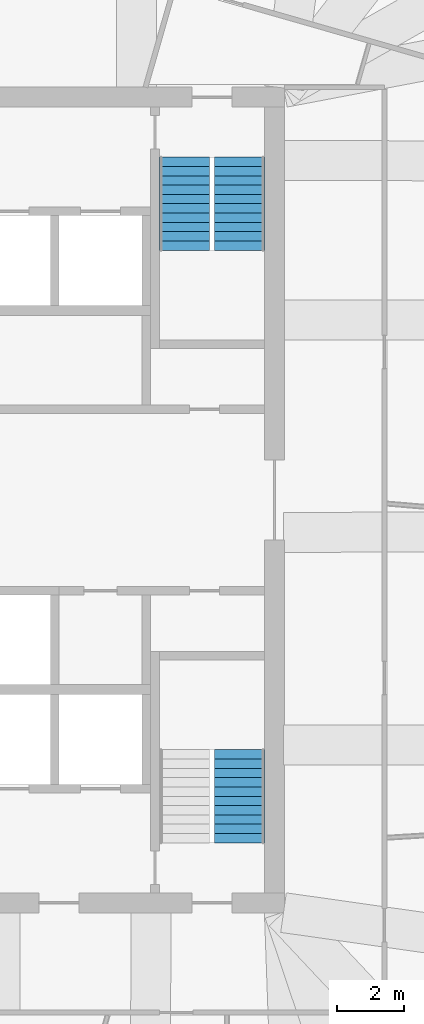
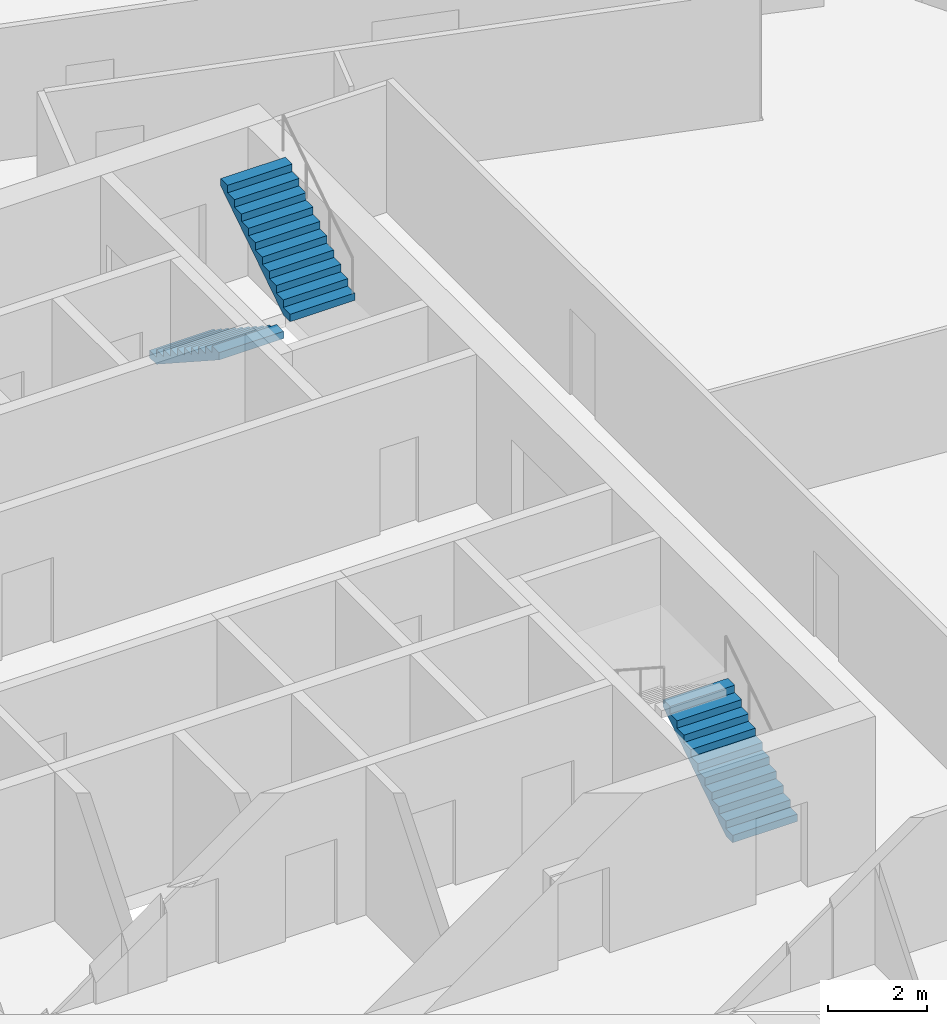
# One storey, part 12 of 15: 3 stair flights, 2 elements without a shape of their own.
"""IFC4 building model written with IfcOpenShell, lengths in metres."""

from ifc_helpers import new_model, si_unit, direction, frame, origin, place, context, subcontext, project, spatial, polyline, outline, extrude, material, type_object, element, aggregate, save


model = new_model("IFC4")

# Units and contexts
model_context = context("Model", 3, precision=1e-05, world=origin(), true_north=direction((0.0, 1.0)))
body_context = subcontext(model_context, "Body", "Model", "MODEL_VIEW")
ifc_project = project(units=[si_unit("LENGTHUNIT", "METRE"), si_unit("AREAUNIT", "SQUARE_METRE"), si_unit("VOLUMEUNIT", "CUBIC_METRE"), si_unit("PLANEANGLEUNIT", "RADIAN"), si_unit("MASSUNIT", "GRAM", prefix="KILO")], contexts=[model_context])

# Site, building, storey
site_placement = place(None, origin())
site = spatial("IfcSite", under=ifc_project, at=site_placement, CompositionType="ELEMENT")
building_placement = place(site_placement, origin())
building = spatial("IfcBuilding", under=site, at=building_placement, Name="Dilmun Exchange Tower", CompositionType="ELEMENT")
storey_placement = place(building_placement, frame((0.0, 0.0, 328.5)))
storey = spatial("IfcBuildingStorey", under=building, at=storey_placement, Name="L78", CompositionType="ELEMENT", Elevation=328.5)

# Stair, stair flights
ifc_material = material(Name="Concrete C40/50", Category="concrete")
stair_type = type_object("IfcStairType", Name="Exit stair 1500 half-turn", PredefinedType="HALF_TURN_STAIR", material=ifc_material)
stair_1_placement = place(storey_placement, origin())
stair_1 = element("IfcStair", 1, at=stair_1_placement, inside=storey, type_object=stair_type, Name="L78 Protected exit stair ST1", PredefinedType="HALF_TURN_STAIR")
stair_flight_type = type_object("IfcStairFlightType", Name="Exit stair flight 1500", PredefinedType="STRAIGHT", material=ifc_material)
stair_flight_1_placement = place(storey_placement, frame((9.39990234375, 10.300048828125, 0.0), z_axis=(0.0, 0.0, 1.0), x_axis=(0.0, -1.0, 0.0)))
stair_flight_1 = element("IfcStairFlight", 2, at=stair_flight_1_placement, type_object=stair_flight_type, Name="ST1 flight 1", NumberOfRisers=11, NumberOfTreads=10, PredefinedType="STRAIGHT", RiserHeight=0.181818182, TreadLength=0.28, context=body_context, shape_type="SweptSolid", body=[
    extrude(outline(polyline([(0.0, 0.0), (0.0, 0.181884765625), (0.280029296875, 0.181884765625), (0.280029296875, 0.363525390625), (0.56005859375, 0.363525390625), (0.56005859375, 0.54541015625), (0.840087890625, 0.54541015625), (0.840087890625, 0.727294921875), (1.1201171875, 0.727294921875), (1.1201171875, 0.9091796875), (1.39990234375, 0.9091796875), (1.39990234375, 1.0908203125), (1.679931640625, 1.0908203125), (1.679931640625, 1.272705078125), (1.9599609375, 1.272705078125), (1.9599609375, 1.45458984375), (2.239990234375, 1.45458984375), (2.239990234375, 1.636474609375), (2.52001953125, 1.636474609375), (2.52001953125, 1.818115234375), (2.800048828125, 1.818115234375), (2.800048828125, 2.0), (2.800048828125, 1.639404296875), (0.275146484375, 0.0), (0.0, 0.0)])), frame((0.0, 0.75, 0.0), z_axis=(0.0, -1.0, 0.0), x_axis=(1.0, 0.0, 0.0)), (0.0, 0.0, 1.0), 1.5),
])
stair_flight_2_placement = place(storey_placement, frame((11.050048828125, 7.5, 2.0), z_axis=(0.0, 0.0, 1.0), x_axis=(0.0, 1.0, 0.0)))
stair_flight_2 = element("IfcStairFlight", 3, at=stair_flight_2_placement, type_object=stair_flight_type, Name="ST1 flight 2", NumberOfRisers=11, NumberOfTreads=10, PredefinedType="STRAIGHT", RiserHeight=0.181818182, TreadLength=0.28, context=body_context, shape_type="SweptSolid", body=[
    extrude(outline(polyline([(0.0, 0.0), (0.0, 0.181884765625), (0.280029296875, 0.181884765625), (0.280029296875, 0.363525390625), (0.56005859375, 0.363525390625), (0.56005859375, 0.54541015625), (0.840087890625, 0.54541015625), (0.840087890625, 0.727294921875), (1.1201171875, 0.727294921875), (1.1201171875, 0.9091796875), (1.39990234375, 0.9091796875), (1.39990234375, 1.0908203125), (1.679931640625, 1.0908203125), (1.679931640625, 1.272705078125), (1.9599609375, 1.272705078125), (1.9599609375, 1.45458984375), (2.239990234375, 1.45458984375), (2.239990234375, 1.636474609375), (2.52001953125, 1.636474609375), (2.52001953125, 1.818115234375), (2.800048828125, 1.818115234375), (2.800048828125, 2.0), (2.800048828125, 1.639404296875), (0.275146484375, 0.0), (0.0, 0.0)])), frame((0.0, 0.75, 0.0), z_axis=(0.0, -1.0, 0.0), x_axis=(1.0, 0.0, 0.0)), (0.0, 0.0, 1.0), 1.5),
])
aggregate(stair_1, [stair_flight_1, stair_flight_2])

# Stair, stair flight
stair_2_placement = place(storey_placement, origin())
stair_2 = element("IfcStair", 4, at=stair_2_placement, inside=storey, type_object=stair_type, Name="L78 Protected exit stair ST3", PredefinedType="HALF_TURN_STAIR")
stair_flight_3_placement = place(storey_placement, frame((11.050048828125, -10.300048828125, 0.0), z_axis=(0.0, 0.0, 1.0), x_axis=(0.0, 1.0, 0.0)))
stair_flight_3 = element("IfcStairFlight", 5, at=stair_flight_3_placement, type_object=stair_flight_type, Name="ST3 flight 1", NumberOfRisers=11, NumberOfTreads=10, PredefinedType="STRAIGHT", RiserHeight=0.181818182, TreadLength=0.28, context=body_context, shape_type="SweptSolid", body=[
    extrude(outline(polyline([(0.0, 0.0), (0.0, 0.181884765625), (0.280029296875, 0.181884765625), (0.280029296875, 0.363525390625), (0.56005859375, 0.363525390625), (0.56005859375, 0.54541015625), (0.840087890625, 0.54541015625), (0.840087890625, 0.727294921875), (1.1201171875, 0.727294921875), (1.1201171875, 0.9091796875), (1.39990234375, 0.9091796875), (1.39990234375, 1.0908203125), (1.679931640625, 1.0908203125), (1.679931640625, 1.272705078125), (1.9599609375, 1.272705078125), (1.9599609375, 1.45458984375), (2.239990234375, 1.45458984375), (2.239990234375, 1.636474609375), (2.52001953125, 1.636474609375), (2.52001953125, 1.818115234375), (2.800048828125, 1.818115234375), (2.800048828125, 2.0), (2.800048828125, 1.639404296875), (0.275146484375, 0.0), (0.0, 0.0)])), frame((0.0, 0.75, 0.0), z_axis=(0.0, -1.0, 0.0), x_axis=(1.0, 0.0, 0.0)), (0.0, 0.0, 1.0), 1.5),
])
aggregate(stair_2, [stair_flight_3])

save(model, "model.ifc")
